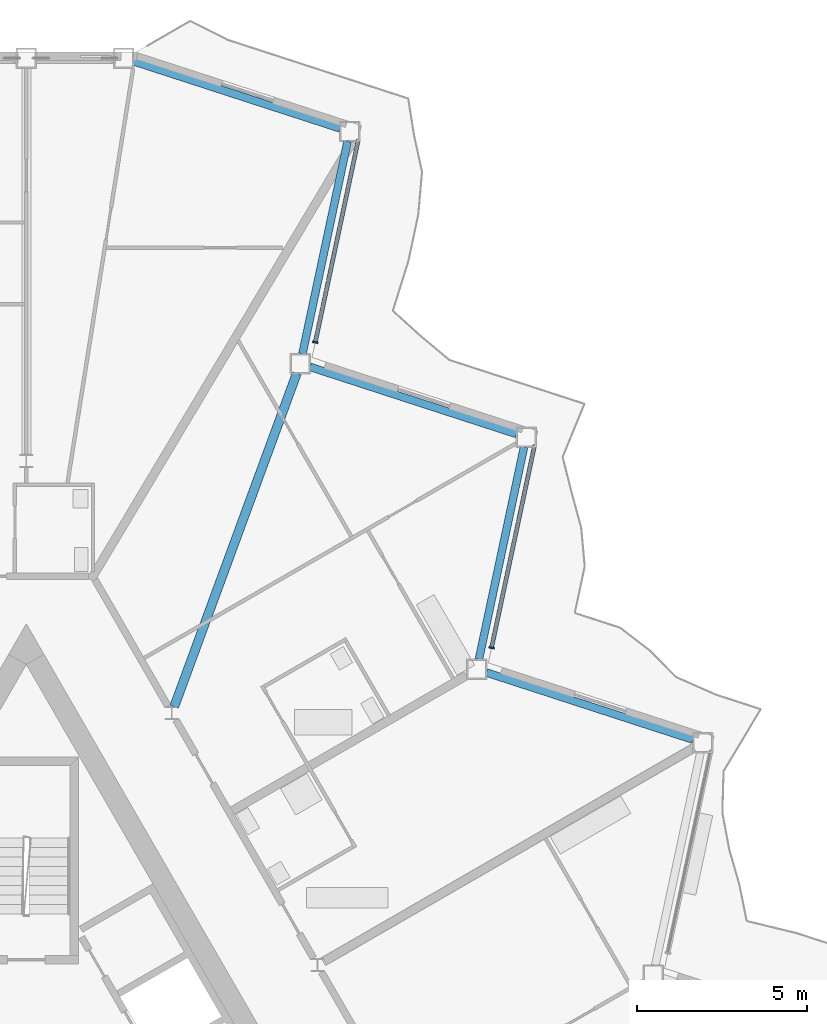
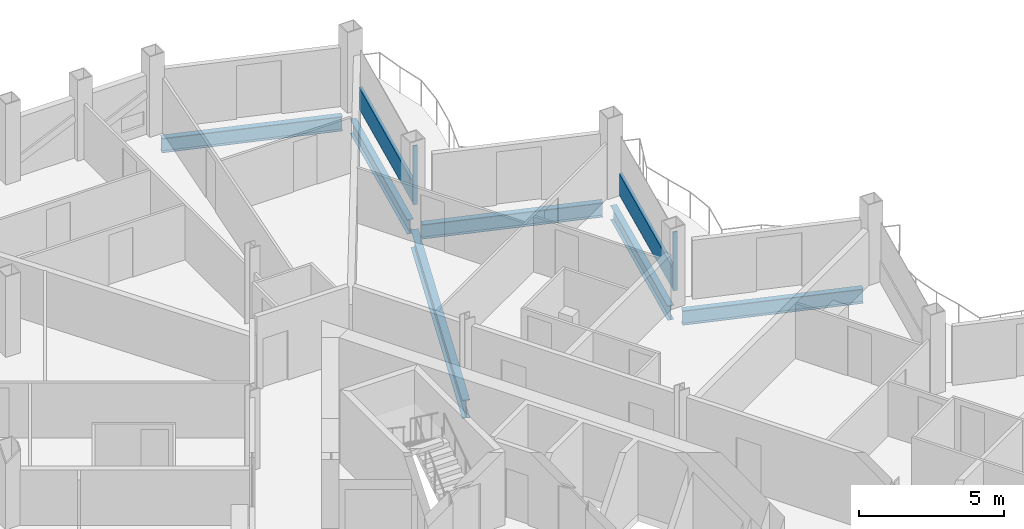
# One storey, part 11 of 26: 6 beams, 4 members, 2 elements without a shape of their own.
"""IFC4 building model written with IfcOpenShell, lengths in metres."""

from ifc_helpers import new_model, si_unit, direction, frame, origin, origin_2d, place, context, subcontext, project, spatial, rectangle, i_section, extrude, material, layer, layer_set, material_profile, profile_set, type_object, element, aggregate, save


model = new_model("IFC4")

# Units and contexts
model_context = context("Model", 3, precision=1e-05, world=origin(), true_north=direction((0.0, 1.0)))
body_context = subcontext(model_context, "Body", "Model", "MODEL_VIEW")
ifc_project = project(units=[si_unit("LENGTHUNIT", "METRE"), si_unit("AREAUNIT", "SQUARE_METRE"), si_unit("VOLUMEUNIT", "CUBIC_METRE"), si_unit("PLANEANGLEUNIT", "RADIAN"), si_unit("MASSUNIT", "GRAM", prefix="KILO")], contexts=[model_context])

# Site, building, storey
site_placement = place(None, origin())
site = spatial("IfcSite", under=ifc_project, at=site_placement, CompositionType="ELEMENT")
building_placement = place(site_placement, origin())
building = spatial("IfcBuilding", under=site, at=building_placement, Name="Cormorant Prow Tower", CompositionType="ELEMENT")
storey_placement = place(building_placement, frame((0.0, 0.0, 325.60009765625)))
storey = spatial("IfcBuildingStorey", under=building, at=storey_placement, Name="L72", CompositionType="ELEMENT", Elevation=325.60009765625)

# Beam
ifc_material_1 = material(Name="Structural steel ASTM A992 Gr 50", Category="steel")
ifc_material_profile_1 = material_profile(ifc_material_1, i_section(OverallWidth=0.267822265625, OverallDepth=0.77001953125, WebThickness=0.015625, FlangeThickness=0.025390625, at=origin_2d()), Name="W30x132")
ifc_profile_set_1 = profile_set([ifc_material_profile_1], Name="Structural steel ASTM A992 Gr 50")
beam_type_1 = type_object("IfcBeamType", Name="Radial floor beam W30x132", PredefinedType="BEAM", material=ifc_profile_set_1)
beam_1_placement = place(storey_placement, frame((4.357421875, 12.5673828125, -0.68505859375), z_axis=(0.345131226703, 0.938554439739, 0.0), x_axis=(-0.938554439739, 0.345131226703, 0.0)))
element("IfcBeam", 1, at=beam_1_placement, inside=storey, type_object=beam_type_1, Name="Radial floor beam FB3 12 L72", PredefinedType="BEAM", context=body_context, shape_type="SweptSolid", body=[
    extrude(i_section(OverallWidth=0.267822265625, OverallDepth=0.77001953125, WebThickness=0.015625, FlangeThickness=0.025390625, at=origin_2d()), origin(), (0.0, 0.0, 1.0), 10.465087890625),
])

# Curtain wall, member
ifc_material_2 = material(Name="Aluminium 6063-T6", Category="aluminium")
ifc_layer = layer(ifc_material_2, 0.159912109375)
ifc_layer_set = layer_set([ifc_layer], Name="Aluminium 6063-T6")
curtain_wall_type = type_object("IfcCurtainWallType", Name="Residential unitised curtain wall 160", PredefinedType="NOTDEFINED", material=ifc_layer_set)
curtain_wall_1_placement = place(storey_placement, origin())
curtain_wall_1 = element("IfcCurtainWall", 2, at=curtain_wall_1_placement, inside=storey, type_object=curtain_wall_type, Name="Residential curtain wall ENE06", PredefinedType="NOTDEFINED")
ifc_material_3 = material(Name="Aluminium 6063-T6", Category="aluminium")
ifc_material_profile_2 = material_profile(ifc_material_3, rectangle(XDim=0.159912109375, YDim=0.050048828125, at=origin_2d()), Name="Residential mullion 50x160")
ifc_profile_set_2 = profile_set([ifc_material_profile_2], Name="Aluminium 6063-T6")
member_type_1 = type_object("IfcMemberType", Name="Residential mullion 50x160", PredefinedType="MULLION", material=ifc_profile_set_2)
member_1_placement = place(storey_placement, frame((13.70849609375, 14.306884765625, 0.0), z_axis=(0.0, 0.0, 1.0), x_axis=(-0.978147600676, 0.207911691091, 0.0)))
member_1 = element("IfcMember", 3, at=member_1_placement, type_object=member_type_1, Name="Residential mullion ENE06", PredefinedType="MULLION", context=body_context, shape_type="SweptSolid", body=[
    extrude(rectangle(XDim=0.159912109375, YDim=0.050048828125, at=origin_2d()), origin(), (0.0, 0.0, 1.0), 2.48779296875),
])

curtain_wall_2_placement = place(storey_placement, origin())
curtain_wall_2 = element("IfcCurtainWall", 4, at=curtain_wall_2_placement, inside=storey, type_object=curtain_wall_type, Name="Residential curtain wall ENE08", PredefinedType="NOTDEFINED")
member_2_placement = place(storey_placement, frame((8.513671875, 23.30419921875, 0.0), z_axis=(0.0, 0.0, 1.0), x_axis=(-0.978147606859, 0.207911662, 0.0)))
member_2 = element("IfcMember", 5, at=member_2_placement, type_object=member_type_1, Name="Residential mullion ENE08", PredefinedType="MULLION", context=body_context, shape_type="SweptSolid", body=[
    extrude(rectangle(XDim=0.159912109375, YDim=0.050048828125, at=origin_2d()), origin(), (0.0, 0.0, 1.0), 2.48779296875),
])

# Member
ifc_material_4 = material(Name="Terracotta", Category="masonry")
ifc_material_profile_3 = material_profile(ifc_material_4, rectangle(XDim=0.1201171875, YDim=0.89990234375, at=origin_2d()), Name="Residential terracotta spandrel rail 120x900")
ifc_profile_set_3 = profile_set([ifc_material_profile_3], Name="Terracotta")
member_type_2 = type_object("IfcMemberType", Name="Residential terracotta spandrel rail 120x900", PredefinedType="USERDEFINED", material=ifc_profile_set_3)
member_3_placement = place(storey_placement, frame((13.713623046875, 14.331298828125, 0.449951171875), z_axis=(0.207908765956, 0.978148222428, 0.0), x_axis=(-0.978148222428, 0.207908765956, 0.0)))
member_3 = element("IfcMember", 6, at=member_3_placement, type_object=member_type_2, Name="Residential spandrel rail ENE06", ObjectType="TRANSOM", PredefinedType="USERDEFINED", context=body_context, shape_type="SweptSolid", body=[
    extrude(rectangle(XDim=0.1201171875, YDim=0.89990234375, at=origin_2d()), origin(), (0.0, 0.0, 1.0), 6.072021484375),
])

aggregate(curtain_wall_1, [member_1, member_3])

member_4_placement = place(storey_placement, frame((8.51904296875, 23.32861328125, 0.449951171875), z_axis=(0.207900589614, 0.978149960302, 0.0), x_axis=(-0.978149960302, 0.207900589614, 0.0)))
member_4 = element("IfcMember", 7, at=member_4_placement, type_object=member_type_2, Name="Residential spandrel rail ENE08", ObjectType="TRANSOM", PredefinedType="USERDEFINED", context=body_context, shape_type="SweptSolid", body=[
    extrude(rectangle(XDim=0.1201171875, YDim=0.89990234375, at=origin_2d()), origin(), (0.0, 0.0, 1.0), 6.072265625),
])

aggregate(curtain_wall_2, [member_2, member_4])

# Beams
ifc_material_5 = material(Name="Structural steel ASTM A992 Gr 50", Category="steel")
ifc_material_profile_4 = material_profile(ifc_material_5, i_section(OverallWidth=0.22900390625, OverallDepth=0.612060546875, WebThickness=0.011962890625, FlangeThickness=0.01953125, at=origin_2d()), Name="W24x84")
ifc_profile_set_4 = profile_set([ifc_material_profile_4], Name="Structural steel ASTM A992 Gr 50")
beam_type_2 = type_object("IfcBeamType", Name="Spandrel beam W24x84", PredefinedType="SPANDREL", material=ifc_profile_set_4)
for number, where, z_axis, x_axis, name in (
    (8, (19.640380859375, 11.5966796875, -0.606201171875), (-0.95105314132, 0.309027381286, 0.0), (-0.309027381286, -0.95105314132, 0.0), "Spandrel beam SB3 ENE05-ENE06 L72"),
    (9, (13.334228515625, 13.95947265625, -0.606201171875), (0.207920386839, 0.978145752297, 0.0), (-0.978145752297, 0.207920386839, 0.0), "Spandrel beam SB3 ENE06-ENE07 L72"),
    (10, (14.441162109375, 20.601806640625, -0.606201171875), (-0.95105314132, 0.309027381286, 0.0), (-0.309027381286, -0.95105314132, 0.0), "Spandrel beam SB3 ENE07-ENE08 L72"),
):
    element("IfcBeam", number, at=place(storey_placement, frame(where, z_axis=z_axis, x_axis=x_axis)), inside=storey, type_object=beam_type_2, Name=name, PredefinedType="SPANDREL", context=body_context, shape_type="SweptSolid", body=[
        extrude(i_section(OverallWidth=0.22900390625, OverallDepth=0.612060546875, WebThickness=0.011962890625, FlangeThickness=0.01953125, at=origin_2d()), origin(), (0.0, 0.0, 1.0), 6.39599609375),
    ])
beam_2_placement = place(storey_placement, frame((8.13525390625, 22.96435546875, -0.606201171875), z_axis=(0.20791262393, 0.978147402394, 0.0), x_axis=(-0.978147402394, 0.20791262393, 0.0)))
element("IfcBeam", 11, at=beam_2_placement, inside=storey, type_object=beam_type_2, Name="Spandrel beam SB3 ENE08-ENE09 L72", PredefinedType="SPANDREL", context=body_context, shape_type="SweptSolid", body=[
    extrude(i_section(OverallWidth=0.22900390625, OverallDepth=0.612060546875, WebThickness=0.011962890625, FlangeThickness=0.01953125, at=origin_2d()), origin(), (0.0, 0.0, 1.0), 6.396240234375),
])
beam_3_placement = place(storey_placement, frame((9.2421875, 29.60693359375, -0.606201171875), z_axis=(-0.951064359156, 0.308992855489, 0.0), x_axis=(-0.308992855489, -0.951064359156, 0.0)))
element("IfcBeam", 12, at=beam_3_placement, inside=storey, type_object=beam_type_2, Name="Spandrel beam SB3 ENE09-N00 L72", PredefinedType="SPANDREL", context=body_context, shape_type="SweptSolid", body=[
    extrude(i_section(OverallWidth=0.22900390625, OverallDepth=0.612060546875, WebThickness=0.011962890625, FlangeThickness=0.01953125, at=origin_2d()), origin(), (0.0, 0.0, 1.0), 6.39599609375),
])

save(model, "model.ifc")
